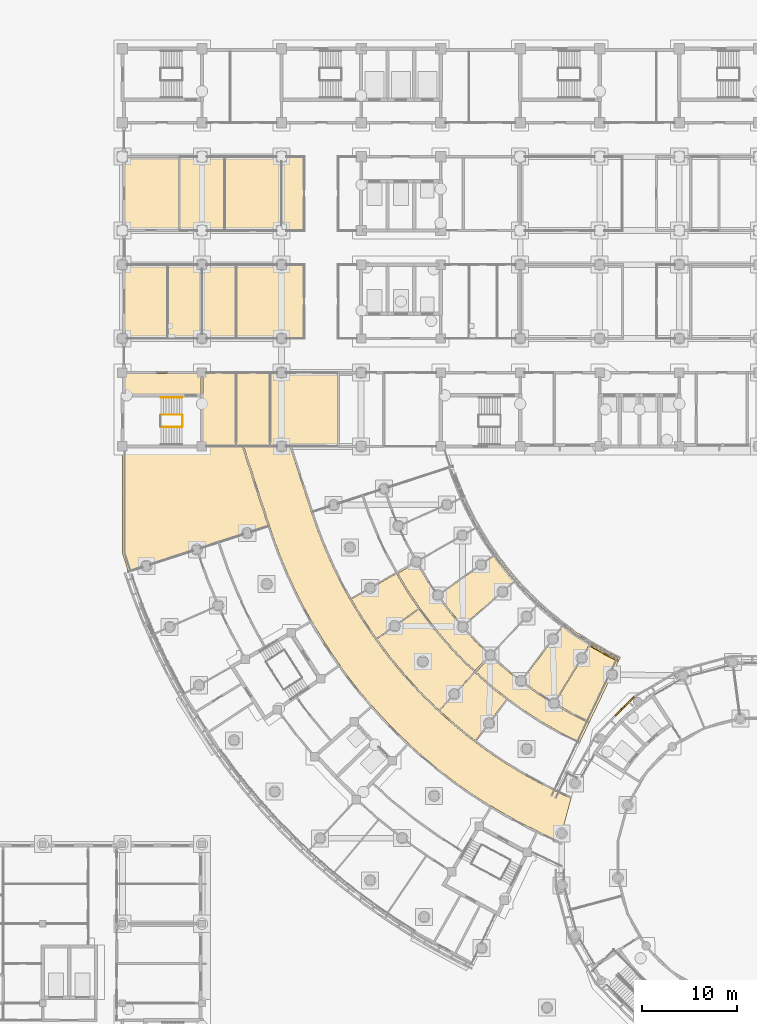
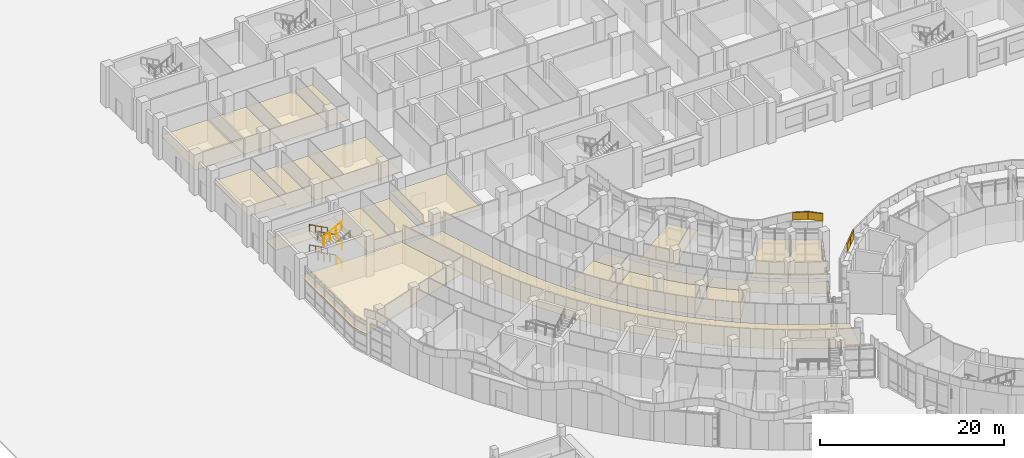
# One storey, part 126 of 146: 26 coverings, 7 railings.
"""IFC4 building model written with IfcOpenShell, lengths in metres."""

from ifc_helpers import new_model, si_unit, direction, frame, origin, origin_2d, place, context, subcontext, project, spatial, polyline, circle, outline, extrude, material, layer, layer_set, type_object, element, save


model = new_model("IFC4")

# Units and contexts
model_context = context("Model", 3, precision=1e-05, world=origin(), true_north=direction((0.0, 1.0)))
body_context = subcontext(model_context, "Body", "Model", "MODEL_VIEW")
ifc_project = project(units=[si_unit("LENGTHUNIT", "METRE"), si_unit("AREAUNIT", "SQUARE_METRE"), si_unit("VOLUMEUNIT", "CUBIC_METRE"), si_unit("PLANEANGLEUNIT", "RADIAN"), si_unit("MASSUNIT", "GRAM", prefix="KILO")], contexts=[model_context])

# Site, building, storey
site_placement = place(None, origin())
site = spatial("IfcSite", under=ifc_project, at=site_placement, CompositionType="ELEMENT")
building_placement = place(site_placement, origin())
building = spatial("IfcBuilding", under=site, at=building_placement, Name="Bougainvillea Quay General Hospital", CompositionType="ELEMENT")
storey_placement = place(building_placement, origin())
storey = spatial("IfcBuildingStorey", under=building, at=storey_placement, Name="L00", CompositionType="ELEMENT", Elevation=0.0)

# Coverings
ifc_material_1 = material(Name="Powder-coated aluminium fascia, white", Category="aluminium")
ifc_layer_1 = layer(ifc_material_1, 0.14990234375)
ifc_layer_set_1 = layer_set([ifc_layer_1], Name="Powder-coated aluminium fascia, white")
covering_type_1 = type_object("IfcCoveringType", Name="Aluminium fascia band white 150x1100", PredefinedType="CLADDING", material=ifc_layer_set_1)
covering_1_placement = place(storey_placement, frame((96.078369140625, 91.10009765625, 4.85009765625), z_axis=(0.0, 0.0, 1.0), x_axis=(-0.707106781187, -0.707106781187, 0.0)))
element("IfcCovering", 1, at=covering_1_placement, inside=storey, type_object=covering_type_1, Name="Fascia band white e0 35", PredefinedType="CLADDING", context=body_context, shape_type="SweptSolid", body=[
    extrude(outline(polyline([(0.0, 0.0), (1.4428707219621983, 0.0), (1.4428707219621983, -0.15019113760554115), (-0.01968021803107091, -0.1501911376055411), (0.0, 0.0)])), origin(), (0.0, 0.0, 1.0), 1.10009765625),
])
covering_2_placement = place(storey_placement, frame((95.05810546875, 90.079833984375, 4.85009765625), z_axis=(0.0, 0.0, 1.0), x_axis=(-0.707106781187, -0.707106781187, 0.0)))
element("IfcCovering", 2, at=covering_2_placement, inside=storey, type_object=covering_type_1, Name="Fascia band white e0 36", PredefinedType="CLADDING", context=body_context, shape_type="SweptSolid", body=[
    extrude(outline(polyline([(0.0, 0.0), (1.370364655531937, 0.0), (1.370364655531937, -0.15019113760554115), (0.0, -0.15019113760554112), (0.0, 0.0)])), origin(), (0.0, 0.0, 1.0), 1.10009765625),
])
ifc_material_2 = material(Name="Powder-coated aluminium fascia, red", Category="aluminium")
ifc_layer_2 = layer(ifc_material_2, 0.14990234375)
ifc_layer_set_2 = layer_set([ifc_layer_2], Name="Powder-coated aluminium fascia, red")
covering_type_2 = type_object("IfcCoveringType", Name="Aluminium wave fascia ribbon red 150x1000", PredefinedType="CLADDING", material=ifc_layer_set_2)
covering_3_placement = place(storey_placement, frame((94.427490234375, 95.04443359375, 5.351806640625), z_axis=(0.178429975387, -0.090366247386, 0.979794205544), x_axis=(-0.874083251143, 0.442690812295, 0.20000828678)))
element("IfcCovering", 3, at=covering_3_placement, inside=storey, type_object=covering_type_2, Name="Fascia ribbon red a11 1", PredefinedType="CLADDING", context=body_context, shape_type="SweptSolid", body=[
    extrude(outline(polyline([(0.0, 0.0), (1.6638484869713641, -7.820824608588406e-17), (1.6674101174011742, 0.14981905247554078), (9.779752938982034e-05, 0.15001996079909308), (0.0, 0.0)])), origin(), (0.20000828678, 1.687433e-06, 0.979794205544), 1.0),
])
covering_4_placement = place(storey_placement, frame((92.97314453125, 95.781005859375, 5.684814453125), z_axis=(-0.06285428665, 0.035664510965, 0.997385272253), x_axis=(-0.867187521457, 0.492710042143, -0.072267676051)))
element("IfcCovering", 4, at=covering_4_placement, inside=storey, type_object=covering_type_2, Name="Fascia ribbon red a11 2", PredefinedType="CLADDING", context=body_context, shape_type="SweptSolid", body=[
    extrude(outline(polyline([(0.0, 0.0), (1.641611547312647, 1.2369052722165097e-16), (1.6451382397558147, 0.14997813692577294), (-0.0036972703253794793, 0.1498141754743396), (0.0, 0.0)])), origin(), (-0.072267676051, -4.1119357e-05, 0.997385272253), 1.0),
])

# Railings
ifc_material_3 = material(Name="Stainless steel 304 balustrade", Category="steel")
railing_type_1 = type_object("IfcRailingType", Name="Stair guard 1100", PredefinedType="GUARDRAIL", material=ifc_material_3)
railing_1_placement = place(storey_placement, frame((48.300048828125, 120.949951171875, 0.14990234375)))
element("IfcRailing", 5, at=railing_1_placement, inside=storey, type_object=railing_type_1, Name="L00 ST-B1 stair guard 1", PredefinedType="GUARDRAIL", context=body_context, shape_type="SweptSolid", body=[
    extrude(circle(Radius=0.02392578125, at=origin_2d()), frame((0.0, 0.0, 1.076171875), z_axis=(-0.881447119201, 0.0, 0.472282728937), x_axis=(0.0, -1.0, 0.0)), (0.0, 0.0, 1.0), 2.541259765625),
    extrude(circle(Radius=0.02099609375, at=origin_2d()), origin(), (0.0, 0.0, 1.0), 1.052001953125),
    extrude(circle(Radius=0.02099609375, at=origin_2d()), frame((-0.74658203125, 0.0, 0.400146484375)), (0.0, 0.0, 1.0), 1.052001953125),
    extrude(circle(Radius=0.02099609375, at=origin_2d()), frame((-1.493408203125, 0.0, 0.800048828125)), (0.0, 0.0, 1.0), 1.052001953125),
    extrude(circle(Radius=0.02099609375, at=origin_2d()), frame((-2.239990234375, 0.0, 1.2001953125)), (0.0, 0.0, 1.0), 1.052001953125),
])
railing_2_placement = place(storey_placement, frame((48.35009765625, 120.89990234375, 2.699951171875)))
element("IfcRailing", 6, at=railing_2_placement, inside=storey, type_object=railing_type_1, Name="L00 ST-B1 stair guard 4", PredefinedType="GUARDRAIL", context=body_context, shape_type="SweptSolid", body=[
    extrude(circle(Radius=0.02392578125, at=origin_2d()), frame((0.0, 0.0, 1.076171875), z_axis=(0.0, -1.0, 0.0), x_axis=(1.0, 0.0, 0.0)), (0.0, 0.0, 1.0), 1.199951171875),
    extrude(circle(Radius=0.02099609375, at=origin_2d()), origin(), (0.0, 0.0, 1.0), 1.052001953125),
    extrude(circle(Radius=0.02099609375, at=origin_2d()), frame((0.0, -1.199951171875, 0.0)), (0.0, 0.0, 1.0), 1.052001953125),
])
railing_3_placement = place(storey_placement, frame((48.300048828125, 120.949951171875, 2.85009765625)))
element("IfcRailing", 7, at=railing_3_placement, inside=storey, type_object=railing_type_1, Name="L00 ST-B1 stair guard 5", PredefinedType="GUARDRAIL", context=body_context, shape_type="SweptSolid", body=[
    extrude(circle(Radius=0.02392578125, at=origin_2d()), frame((0.0, 0.0, 1.076171875), z_axis=(-0.881487111273, 0.0, 0.472208081951), x_axis=(0.0, -1.0, 0.0)), (0.0, 0.0, 1.0), 2.541259765625),
    extrude(circle(Radius=0.02099609375, at=origin_2d()), origin(), (0.0, 0.0, 1.0), 1.052001953125),
    extrude(circle(Radius=0.02099609375, at=origin_2d()), frame((-0.74658203125, 0.0, 0.39990234375)), (0.0, 0.0, 1.0), 1.052001953125),
    extrude(circle(Radius=0.02099609375, at=origin_2d()), frame((-1.493408203125, 0.0, 0.800048828125)), (0.0, 0.0, 1.0), 1.052001953125),
    extrude(circle(Radius=0.02099609375, at=origin_2d()), frame((-2.239990234375, 0.0, 1.199951171875)), (0.0, 0.0, 1.0), 1.052001953125),
])
railing_4_placement = place(storey_placement, frame((46.06005859375, 119.64990234375, 4.199951171875)))
element("IfcRailing", 8, at=railing_4_placement, inside=storey, type_object=railing_type_1, Name="L00 ST-B1 stair guard 7", PredefinedType="GUARDRAIL", context=body_context, shape_type="SweptSolid", body=[
    extrude(circle(Radius=0.02392578125, at=origin_2d()), frame((0.0, 0.0, 1.076171875), z_axis=(0.881487111273, 0.0, 0.472208081951), x_axis=(0.0, 1.0, 0.0)), (0.0, 0.0, 1.0), 2.541259765625),
    extrude(circle(Radius=0.02099609375, at=origin_2d()), origin(), (0.0, 0.0, 1.0), 1.052001953125),
    extrude(circle(Radius=0.02099609375, at=origin_2d()), frame((0.74658203125, 0.0, 0.39990234375)), (0.0, 0.0, 1.0), 1.052001953125),
    extrude(circle(Radius=0.02099609375, at=origin_2d()), frame((1.493408203125, 0.0, 0.800048828125)), (0.0, 0.0, 1.0), 1.052001953125),
    extrude(circle(Radius=0.02099609375, at=origin_2d()), frame((2.239990234375, 0.0, 1.199951171875)), (0.0, 0.0, 1.0), 1.052001953125),
])
railing_5_placement = place(storey_placement, frame((48.35009765625, 120.89990234375, 0.0)))
element("IfcRailing", 9, at=railing_5_placement, inside=storey, type_object=railing_type_1, Name="L00 ST-B1 stair guard 8", PredefinedType="GUARDRAIL", context=body_context, shape_type="SweptSolid", body=[
    extrude(circle(Radius=0.02392578125, at=origin_2d()), frame((0.0, 0.0, 1.076171875), z_axis=(0.0, -1.0, 0.0), x_axis=(1.0, 0.0, 0.0)), (0.0, 0.0, 1.0), 1.199951171875),
    extrude(circle(Radius=0.02099609375, at=origin_2d()), origin(), (0.0, 0.0, 1.0), 1.052001953125),
    extrude(circle(Radius=0.02099609375, at=origin_2d()), frame((0.0, -1.199951171875, 0.0)), (0.0, 0.0, 1.0), 1.052001953125),
])
ifc_material_4 = material(Name="Stainless steel 304 handrail", Category="steel")
railing_type_2 = type_object("IfcRailingType", Name="Stair handrail 900", PredefinedType="HANDRAIL", material=ifc_material_4)
railing_6_placement = place(storey_placement, frame((48.300048828125, 122.77490234375, 0.14990234375)))
element("IfcRailing", 10, at=railing_6_placement, inside=storey, type_object=railing_type_2, Name="L00 ST-B1 stair handrail 1", PredefinedType="HANDRAIL", context=body_context, shape_type="SweptSolid", body=[
    extrude(circle(Radius=0.02392578125, at=origin_2d()), frame((0.0, 0.0, 0.8759765625), z_axis=(-0.881447119201, 0.0, 0.472282728937), x_axis=(0.0, -1.0, 0.0)), (0.0, 0.0, 1.0), 2.541259765625),
    extrude(circle(Radius=0.02099609375, at=origin_2d()), origin(), (0.0, 0.0, 1.0), 0.851806640625),
    extrude(circle(Radius=0.02099609375, at=origin_2d()), frame((-0.74658203125, 0.0, 0.400146484375)), (0.0, 0.0, 1.0), 0.851806640625),
    extrude(circle(Radius=0.02099609375, at=origin_2d()), frame((-1.493408203125, 0.0, 0.800048828125)), (0.0, 0.0, 1.0), 0.851806640625),
    extrude(circle(Radius=0.02099609375, at=origin_2d()), frame((-2.239990234375, 0.0, 1.2001953125)), (0.0, 0.0, 1.0), 0.851806640625),
])
railing_7_placement = place(storey_placement, frame((48.300048828125, 122.77490234375, 2.85009765625)))
element("IfcRailing", 11, at=railing_7_placement, inside=storey, type_object=railing_type_2, Name="L00 ST-B1 stair handrail 3", PredefinedType="HANDRAIL", context=body_context, shape_type="SweptSolid", body=[
    extrude(circle(Radius=0.02392578125, at=origin_2d()), frame((0.0, 0.0, 0.8759765625), z_axis=(-0.881487111273, 0.0, 0.472208081951), x_axis=(0.0, -1.0, 0.0)), (0.0, 0.0, 1.0), 2.541259765625),
    extrude(circle(Radius=0.02099609375, at=origin_2d()), origin(), (0.0, 0.0, 1.0), 0.851806640625),
    extrude(circle(Radius=0.02099609375, at=origin_2d()), frame((-0.74658203125, 0.0, 0.39990234375)), (0.0, 0.0, 1.0), 0.851806640625),
    extrude(circle(Radius=0.02099609375, at=origin_2d()), frame((-1.493408203125, 0.0, 0.800048828125)), (0.0, 0.0, 1.0), 0.851806640625),
    extrude(circle(Radius=0.02099609375, at=origin_2d()), frame((-2.239990234375, 0.0, 1.199951171875)), (0.0, 0.0, 1.0), 0.851806640625),
])

# Coverings
ifc_material_5 = material(Name="Mineral fibre ceiling tile")
ifc_layer_3 = layer(ifc_material_5, 0.030029296875)
ifc_layer_set_3 = layer_set([ifc_layer_3], Name="Mineral fibre ceiling tile")
covering_type_3 = type_object("IfcCoveringType", Name="Suspended ceiling mineral fibre tile", PredefinedType="CEILING", material=ifc_layer_set_3)
covering_5_placement = place(storey_placement, frame((0.0, 0.0, 2.699951171875)))
element("IfcCovering", 12, at=covering_5_placement, inside=storey, type_object=covering_type_3, Name="Ceiling Smoke-proof Stair Vestibule ST-B1", PredefinedType="CEILING", context=body_context, shape_type="SweptSolid", body=[
    extrude(outline(polyline([(42.0, 123.10009765625), (50.300048828125, 123.10009765625), (50.300048828125, 125.300048828125), (42.0, 125.300048828125), (42.0, 123.10009765625)])), origin(), (0.0, 0.0, 1.0), 0.030029296875),
])
covering_6_placement = place(storey_placement, frame((0.0, 0.0, 2.800048828125)))
element("IfcCovering", 13, at=covering_6_placement, inside=storey, type_object=covering_type_3, Name="Ceiling Phlebotomy Room 01", PredefinedType="CEILING", context=body_context, shape_type="SweptSolid", body=[
    extrude(outline(polyline([(50.5, 125.35009765625), (50.5, 122.89990234375), (50.449951171875, 122.89990234375), (50.449951171875, 117.64990234375), (53.947998046875, 117.6494140625), (53.947998046875, 125.35009765625), (50.5, 125.35009765625)])), origin(), (0.0, 0.0, 1.0), 0.030029296875),
])
covering_7_placement = place(storey_placement, frame((0.0, 0.0, 2.800048828125)))
element("IfcCovering", 14, at=covering_7_placement, inside=storey, type_object=covering_type_3, Name="Ceiling Phlebotomy Room 02", PredefinedType="CEILING", context=body_context, shape_type="SweptSolid", body=[
    extrude(outline(polyline([(54.048095703125, 125.35009765625), (54.048095703125, 117.6494140625), (57.548095703125, 117.64892578125), (57.548095703125, 125.35009765625), (54.048095703125, 125.35009765625)])), origin(), (0.0, 0.0, 1.0), 0.030029296875),
])
covering_8_placement = place(storey_placement, frame((0.0, 0.0, 3.60009765625)))
element("IfcCovering", 15, at=covering_8_placement, inside=storey, type_object=covering_type_3, Name="Ceiling Dispensing Pharmacy Counter Hall", PredefinedType="CEILING", context=body_context, shape_type="SweptSolid", body=[
    extrude(outline(polyline([(57.64794921875, 125.35009765625), (57.64794921875, 117.64892578125), (64.697998046875, 117.64794921875), (64.697998046875, 125.35009765625), (57.64794921875, 125.35009765625)])), origin(), (0.0, 0.0, 1.0), 0.02978515625),
])
covering_9_placement = place(storey_placement, frame((0.0, 0.0, 3.60009765625)))
element("IfcCovering", 16, at=covering_9_placement, inside=storey, type_object=covering_type_3, Name="Ceiling Phlebotomy Waiting Hall", PredefinedType="CEILING", context=body_context, shape_type="SweptSolid", body=[
    extrude(outline(polyline([(42.0, 129.050048828125), (46.75, 129.050048828125), (46.75, 136.75), (42.0, 136.75), (42.0, 129.050048828125)])), origin(), (0.0, 0.0, 1.0), 0.02978515625),
])
covering_10_placement = place(storey_placement, frame((0.0, 0.0, 2.800048828125)))
element("IfcCovering", 17, at=covering_10_placement, inside=storey, type_object=covering_type_3, Name="Ceiling Specimen Collection WC", PredefinedType="CEILING", context=body_context, shape_type="SweptSolid", body=[
    extrude(outline(polyline([(46.85009765625, 129.050048828125), (50.35009765625, 129.050048828125), (50.35009765625, 136.75), (46.85009765625, 136.75), (46.85009765625, 129.050048828125)])), origin(), (0.0, 0.0, 1.0), 0.030029296875),
])
covering_11_placement = place(storey_placement, frame((0.0, 0.0, 2.800048828125)))
element("IfcCovering", 18, at=covering_11_placement, inside=storey, type_object=covering_type_3, Name="Ceiling Phlebotomy Room 03", PredefinedType="CEILING", context=body_context, shape_type="SweptSolid", body=[
    extrude(outline(polyline([(53.949951171875, 129.050048828125), (53.949951171875, 136.75), (50.449951171875, 136.75), (50.449951171875, 129.050048828125), (53.949951171875, 129.050048828125)])), origin(), (0.0, 0.0, 1.0), 0.030029296875),
])
covering_12_placement = place(storey_placement, frame((0.0, 0.0, 2.800048828125)))
element("IfcCovering", 19, at=covering_12_placement, inside=storey, type_object=covering_type_3, Name="Ceiling Pharmacy Dispensing Workroom", PredefinedType="CEILING", context=body_context, shape_type="SweptSolid", body=[
    extrude(outline(polyline([(61.14990234375, 129.050048828125), (61.14990234375, 136.75), (54.050048828125, 136.75), (54.050048828125, 129.050048828125), (61.14990234375, 129.050048828125)])), origin(), (0.0, 0.0, 1.0), 0.030029296875),
])
covering_13_placement = place(storey_placement, frame((0.0, 0.0, 2.800048828125)))
element("IfcCovering", 20, at=covering_13_placement, inside=storey, type_object=covering_type_3, Name="Ceiling Fire Control Room", PredefinedType="CEILING", context=body_context, shape_type="SweptSolid", body=[
    extrude(outline(polyline([(42.0, 140.5), (47.89990234375, 140.5), (47.89990234375, 148.10009765625), (42.0, 148.10009765625), (42.0, 140.5)])), origin(), (0.0, 0.0, 1.0), 0.030029296875),
])
covering_14_placement = place(storey_placement, frame((0.0, 0.0, 2.800048828125)))
element("IfcCovering", 21, at=covering_14_placement, inside=storey, type_object=covering_type_3, Name="Ceiling Security Control Room", PredefinedType="CEILING", context=body_context, shape_type="SweptSolid", body=[
    extrude(outline(polyline([(52.75, 140.449951171875), (52.75, 148.14990234375), (48.10009765625, 148.14990234375), (48.10009765625, 140.449951171875), (52.75, 140.449951171875)])), origin(), (0.0, 0.0, 1.0), 0.030029296875),
])
covering_15_placement = place(storey_placement, frame((0.0, 0.0, 2.800048828125)))
element("IfcCovering", 22, at=covering_15_placement, inside=storey, type_object=covering_type_3, Name="Ceiling Staff Changing Room (Women)", PredefinedType="CEILING", context=body_context, shape_type="SweptSolid", body=[
    extrude(outline(polyline([(58.75, 140.449951171875), (58.75, 148.14990234375), (52.85009765625, 148.14990234375), (52.85009765625, 140.449951171875), (58.75, 140.449951171875)])), origin(), (0.0, 0.0, 1.0), 0.030029296875),
])
covering_16_placement = place(storey_placement, frame((0.0, 0.0, 2.800048828125)))
element("IfcCovering", 23, at=covering_16_placement, inside=storey, type_object=covering_type_3, Name="Ceiling Cleaners' Room", PredefinedType="CEILING", context=body_context, shape_type="SweptSolid", body=[
    extrude(outline(polyline([(61.14990234375, 140.449951171875), (61.14990234375, 148.14990234375), (58.85009765625, 148.14990234375), (58.85009765625, 140.449951171875), (61.14990234375, 140.449951171875)])), origin(), (0.0, 0.0, 1.0), 0.030029296875),
])
covering_17_placement = place(storey_placement, frame((0.0, 0.0, 2.39990234375)))
element("IfcCovering", 24, at=covering_17_placement, inside=storey, type_object=covering_type_3, Name="Ceiling Outpatient Spine Corridor", PredefinedType="CEILING", context=body_context, shape_type="SweptSolid", body=[
    extrude(outline(polyline([(54.808837890625, 117.60009765625), (57.5341796875, 109.212646484375), (57.977783203125, 107.904052734375), (58.422119140625, 106.692626953125), (58.96044921875, 105.33056640625), (59.500732421875, 104.063232421875), (60.07275390625, 102.809814453125), (60.563232421875, 101.798583984375), (61.17333984375, 100.610107421875), (61.9296875, 99.231689453125), (61.94873046875, 99.242919921875), (61.950439453125, 99.242431640625), (61.99951171875, 99.156005859375), (62.695556640625, 97.967529296875), (63.42138671875, 96.7978515625), (64.176025390625, 95.64599609375), (64.9609375, 94.513427734375), (65.0185546875, 94.432373046875), (65.01806640625, 94.4306640625), (64.999755859375, 94.41796875), (65.7529296875, 93.38720703125), (67.063232421875, 91.71142578125), (68.292236328125, 90.256591796875), (68.308349609375, 90.271240234375), (68.310302734375, 90.271240234375), (68.375732421875, 90.196533203125), (69.297607421875, 89.1728515625), (70.24365234375, 88.172607421875), (71.216064453125, 87.196533203125), (72.212646484375, 86.245849609375), (72.285400390625, 86.177978515625), (72.285400390625, 86.17626953125), (72.270263671875, 86.160400390625), (73.55908203125, 85.000732421875), (75.324951171875, 83.530517578125), (76.678955078125, 82.485107421875), (77.75830078125, 81.6982421875), (78.85791015625, 80.938232421875), (79.799560546875, 80.318115234375), (80.88134765625, 79.640625), (80.892822265625, 79.659912109375), (80.89453125, 79.660400390625), (80.9794921875, 79.60888671875), (82.165771484375, 78.90771484375), (83.36865234375, 78.238037109375), (84.58837890625, 77.59814453125), (85.82373046875, 76.989013671875), (85.913330078125, 76.9462890625), (85.913818359375, 76.944580078125), (85.9033203125, 76.92333984375), (88.3798828125, 75.7421875), (88.3798828125, 76.740966796875), (89.386962890625, 80.4970703125), (89.354736328125, 80.42919921875), (87.880126953125, 81.132568359375), (87.87939453125, 81.13134765625), (87.74609375, 81.196533203125), (87.74658203125, 81.19775390625), (86.400390625, 81.87158203125), (86.399169921875, 81.869384765625), (86.334228515625, 81.904541015625), (86.268310546875, 81.9375), (86.26953125, 81.939697265625), (84.582763671875, 82.8564453125), (84.58154296875, 82.854248046875), (84.51806640625, 82.8916015625), (84.453369140625, 82.927001953125), (84.45458984375, 82.92919921875), (83.511962890625, 83.484375), (83.510986328125, 83.482666015625), (83.38427734375, 83.559326171875), (83.38525390625, 83.56103515625), (82.458251953125, 84.1396484375), (82.457275390625, 84.13818359375), (82.332763671875, 84.218017578125), (82.333740234375, 84.2197265625), (81.4208984375, 84.821044921875), (81.419677734375, 84.819580078125), (81.297119140625, 84.902587890625), (81.298095703125, 84.904296875), (80.401123046875, 85.52783203125), (80.39990234375, 85.526123046875), (80.34033203125, 85.570068359375), (80.279541015625, 85.6123046875), (80.28076171875, 85.614013671875), (79.280517578125, 86.35107421875), (79.279541015625, 86.349853515625), (79.1611328125, 86.439208984375), (79.162109375, 86.4404296875), (78.41455078125, 87.017333984375), (78.4130859375, 87.015380859375), (78.356201171875, 87.062255859375), (78.2978515625, 87.107421875), (78.29931640625, 87.109375), (77.0029296875, 88.17822265625), (77.0009765625, 88.176025390625), (76.9462890625, 88.22509765625), (76.889404296875, 88.271728515625), (76.89111328125, 88.27392578125), (75.42041015625, 89.585693359375), (75.4189453125, 89.583984375), (75.365234375, 89.634765625), (75.31005859375, 89.683837890625), (75.3115234375, 89.685546875), (74.6796875, 90.2841796875), (74.67822265625, 90.282958984375), (74.572021484375, 90.38623046875), (74.5732421875, 90.387451171875), (73.798095703125, 91.158203125), (73.796630859375, 91.156982421875), (73.69287109375, 91.2626953125), (73.6943359375, 91.263916015625), (72.93798828125, 92.0546875), (72.936279296875, 92.052978515625), (72.886962890625, 92.10791015625), (72.8359375, 92.161376953125), (72.837646484375, 92.162841796875), (71.7099609375, 93.416748046875), (71.7080078125, 93.415283203125), (71.660400390625, 93.4716796875), (71.611083984375, 93.526611328125), (71.61279296875, 93.528076171875), (70.906982421875, 94.36376953125), (70.905517578125, 94.362548828125), (70.811279296875, 94.476806640625), (70.812744140625, 94.47802734375), (70.12841796875, 95.330078125), (70.126953125, 95.328857421875), (70.03564453125, 95.445556640625), (70.037109375, 95.44677734375), (69.37353515625, 96.316650390625), (69.37158203125, 96.3154296875), (69.32861328125, 96.37548828125), (69.283935546875, 96.43408203125), (69.28564453125, 96.435546875), (68.27197265625, 97.856689453125), (68.269775390625, 97.85498046875), (68.229248046875, 97.91650390625), (68.186279296875, 97.9765625), (68.1884765625, 97.97802734375), (67.262451171875, 99.382080078125), (67.260498046875, 99.380859375), (67.2216796875, 99.443603515625), (67.18115234375, 99.50537109375), (67.18310546875, 99.506591796875), (66.609375, 100.4384765625), (66.60791015625, 100.4375), (66.53173828125, 100.564453125), (66.533447265625, 100.5654296875), (66.05908203125, 101.379638671875), (66.057861328125, 101.37890625), (65.984375, 101.508056640625), (65.98583984375, 101.5087890625), (65.662109375, 102.091552734375), (65.660400390625, 102.0908203125), (65.590087890625, 102.22119140625), (65.591552734375, 102.221923828125), (64.8154296875, 103.69970703125), (64.813232421875, 103.69873046875), (64.781005859375, 103.76513671875), (64.746826171875, 103.83056640625), (64.748779296875, 103.83154296875), (64.271484375, 104.8154296875), (64.269775390625, 104.814697265625), (64.206787109375, 104.94873046875), (64.20849609375, 104.949462890625), (63.756103515625, 105.9443359375), (63.75439453125, 105.943603515625), (63.694580078125, 106.0791015625), (63.6962890625, 106.080078125), (63.2685546875, 107.08544921875), (63.266845703125, 107.084716796875), (63.210693359375, 107.2216796875), (63.21240234375, 107.222412109375), (62.81005859375, 108.238525390625), (62.808349609375, 108.23779296875), (62.755615234375, 108.376220703125), (62.75732421875, 108.376708984375), (62.380859375, 109.403564453125), (62.379150390625, 109.40283203125), (62.329833984375, 109.54248046875), (62.33154296875, 109.543212890625), (61.98193359375, 110.57421875), (61.978515625, 110.582763671875), (61.97412109375, 110.58154296875), (61.957275390625, 110.647216796875), (61.933837890625, 110.716064453125), (61.93505859375, 110.716796875), (59.70556640625, 117.576904296875), (59.777099609375, 117.60009765625), (54.808837890625, 117.60009765625)])), origin(), (0.0, 0.0, 1.0), 0.030029296875),
])
covering_18_placement = place(storey_placement, frame((0.0, 0.0, 2.699951171875)))
element("IfcCovering", 25, at=covering_18_placement, inside=storey, type_object=covering_type_3, Name="Ceiling Ophthalmology and ENT Clinics", PredefinedType="CEILING", context=body_context, shape_type="SweptSolid", body=[
    extrude(outline(polyline([(42.610595703125, 104.41650390625), (57.375732421875, 109.213134765625), (54.65869140625, 117.576904296875), (54.72998046875, 117.60009765625), (42.0, 117.60009765625), (42.0, 106.2958984375), (42.610595703125, 104.41650390625)])), origin(), (0.0, 0.0, 1.0), 0.030029296875),
])
covering_19_placement = place(storey_placement, frame((0.0, 0.0, 2.39990234375)))
element("IfcCovering", 26, at=covering_19_placement, inside=storey, type_object=covering_type_3, Name="Ceiling Clinic Corridor 00W1", PredefinedType="CEILING", context=body_context, shape_type="SweptSolid", body=[
    extrude(outline(polyline([(91.299072265625, 88.468994140625), (91.265625, 88.40185546875), (89.43994140625, 89.310302734375), (89.437744140625, 89.306640625), (89.37451171875, 89.3427734375), (89.309326171875, 89.375244140625), (89.311279296875, 89.379150390625), (87.60546875, 90.3583984375), (87.603515625, 90.355224609375), (87.5419921875, 90.39501953125), (87.478515625, 90.431396484375), (87.48046875, 90.4345703125), (85.826416015625, 91.499267578125), (85.82421875, 91.496337890625), (85.764892578125, 91.5390625), (85.703369140625, 91.57861328125), (85.705322265625, 91.58154296875), (84.107177734375, 92.728515625), (84.10498046875, 92.7255859375), (84.047607421875, 92.771240234375), (83.98828125, 92.813720703125), (83.990478515625, 92.81689453125), (82.451416015625, 94.044189453125), (82.44873046875, 94.041015625), (82.39453125, 94.08984375), (82.337646484375, 94.135009765625), (82.34033203125, 94.138427734375), (80.898193359375, 95.435302734375), (79.366455078125, 93.7890625), (80.948486328125, 92.3662109375), (82.689208984375, 90.976806640625), (84.499267578125, 89.677978515625), (86.3720703125, 88.47314453125), (88.303466796875, 87.3642578125), (90.29833984375, 86.37158203125), (91.299072265625, 88.468994140625)])), origin(), (0.0, 0.0, 1.0), 0.030029296875),
])
covering_20_placement = place(storey_placement, frame((0.0, 0.0, 2.699951171875)))
element("IfcCovering", 27, at=covering_20_placement, inside=storey, type_object=covering_type_3, Name="Ceiling Patient Information Consulting Room 00W102", PredefinedType="CEILING", context=body_context, shape_type="SweptSolid", body=[
    extrude(outline(polyline([(80.908447265625, 92.206298828125), (80.905517578125, 92.203125), (80.8515625, 92.251708984375), (80.794677734375, 92.297119140625), (80.79736328125, 92.300537109375), (79.26416015625, 93.67919921875), (79.260986328125, 93.677734375), (79.225830078125, 93.71142578125), (75.50439453125, 89.711669921875), (77.0439453125, 88.3388671875), (78.44970703125, 87.1796875), (79.271728515625, 86.54541015625), (82.55810546875, 90.88623046875), (82.539306640625, 90.89990234375), (82.54150390625, 90.90283203125), (80.908447265625, 92.206298828125)])), origin(), (0.0, 0.0, 1.0), 0.030029296875),
])
covering_21_placement = place(storey_placement, frame((0.0, 0.0, 2.699951171875)))
element("IfcCovering", 28, at=covering_21_placement, inside=storey, type_object=covering_type_3, Name="Ceiling Seminar Room 00W111", PredefinedType="CEILING", context=body_context, shape_type="SweptSolid", body=[
    extrude(outline(polyline([(94.56298828125, 95.31201171875), (94.540283203125, 95.267333984375), (93.067626953125, 96.015869140625), (93.06640625, 96.013671875), (93.024169921875, 96.0380859375), (92.980712890625, 96.06005859375), (92.98193359375, 96.062255859375), (91.54736328125, 96.88427734375), (87.663330078125, 90.498291015625), (89.4453125, 89.47509765625), (91.331298828125, 88.53662109375), (94.56298828125, 95.31201171875)])), origin(), (0.0, 0.0, 1.0), 0.030029296875),
])
covering_22_placement = place(storey_placement, frame((0.0, 0.0, 2.699951171875)))
element("IfcCovering", 29, at=covering_22_placement, inside=storey, type_object=covering_type_3, Name="Ceiling Skills Laboratory 00W112", PredefinedType="CEILING", context=body_context, shape_type="SweptSolid", body=[
    extrude(outline(polyline([(89.52197265625, 98.27294921875), (89.492431640625, 98.232666015625), (88.690185546875, 98.821533203125), (84.178955078125, 92.861572265625), (85.84912109375, 91.6630859375), (87.577880859375, 90.55029296875), (91.4619140625, 96.936279296875), (90.18310546875, 97.755859375), (90.2099609375, 97.798095703125), (89.52197265625, 98.27294921875)])), origin(), (0.0, 0.0, 1.0), 0.030029296875),
])
covering_23_placement = place(storey_placement, frame((0.0, 0.0, 2.39990234375)))
element("IfcCovering", 30, at=covering_23_placement, inside=storey, type_object=covering_type_3, Name="Ceiling Clinic Corridor 00W1", PredefinedType="CEILING", context=body_context, shape_type="SweptSolid", body=[
    extrude(outline(polyline([(75.246826171875, 101.83447265625), (75.202880859375, 101.89306640625), (75.2060546875, 101.895263671875), (74.105224609375, 103.527587890625), (74.1015625, 103.525390625), (74.064453125, 103.587890625), (74.02392578125, 103.648193359375), (74.027587890625, 103.650634765625), (73.040771484375, 105.32080078125), (71.086181640625, 104.208984375), (72.16845703125, 102.376953125), (73.4130859375, 100.530517578125), (74.750732421875, 98.74853515625), (76.176513671875, 97.037353515625), (77.6865234375, 95.400390625), (79.219970703125, 93.92529296875), (80.751953125, 95.571533203125), (79.35400390625, 96.9169921875), (79.350830078125, 96.9140625), (79.301513671875, 96.967529296875), (79.2490234375, 97.01806640625), (79.251953125, 97.02099609375), (77.917236328125, 98.466796875), (77.914306640625, 98.46435546875), (77.86767578125, 98.5205078125), (77.818115234375, 98.57421875), (77.82080078125, 98.57666015625), (76.56201171875, 100.088134765625), (76.55908203125, 100.0859375), (76.51513671875, 100.14453125), (76.46826171875, 100.20068359375), (76.47119140625, 100.203125), (75.290771484375, 101.77587890625), (75.287841796875, 101.77392578125), (75.246826171875, 101.83447265625)])), origin(), (0.0, 0.0, 1.0), 0.030029296875),
])
covering_24_placement = place(storey_placement, frame((0.0, 0.0, 2.699951171875)))
element("IfcCovering", 31, at=covering_24_placement, inside=storey, type_object=covering_type_3, Name="Ceiling Phlebotomy Waiting Bays Waiting Hall 00W101", PredefinedType="CEILING", context=body_context, shape_type="SweptSolid", body=[
    extrude(outline(polyline([(74.633056640625, 98.655517578125), (74.58642578125, 98.711669921875), (74.589111328125, 98.7138671875), (73.334716796875, 100.385009765625), (73.331787109375, 100.3828125), (73.31884765625, 100.402099609375), (68.889404296875, 97.249267578125), (69.449462890625, 96.464599609375), (70.199951171875, 95.480224609375), (70.974853515625, 94.515625), (71.7734375, 93.5703125), (72.9970703125, 92.2099609375), (73.8525390625, 91.3154296875), (74.730224609375, 90.44287109375), (75.430908203125, 89.779296875), (79.15283203125, 93.779541015625), (79.116455078125, 93.81201171875), (79.117919921875, 93.8154296875), (77.6318359375, 95.244873046875), (77.628662109375, 95.241943359375), (77.579345703125, 95.29541015625), (77.52685546875, 95.345947265625), (77.530029296875, 95.34912109375), (76.11328125, 96.884765625), (76.1103515625, 96.88232421875), (76.0634765625, 96.9384765625), (76.013916015625, 96.9921875), (76.016845703125, 96.994873046875), (74.679931640625, 98.59912109375), (74.677001953125, 98.596923828125), (74.633056640625, 98.655517578125)])), origin(), (0.0, 0.0, 1.0), 0.030029296875),
])
covering_25_placement = place(storey_placement, frame((0.0, 0.0, 2.699951171875)))
element("IfcCovering", 32, at=covering_25_placement, inside=storey, type_object=covering_type_3, Name="Ceiling Phlebotomy Waiting Bays Consulting Room 00W102", PredefinedType="CEILING", context=body_context, shape_type="SweptSolid", body=[
    extrude(outline(polyline([(73.2470703125, 100.501953125), (73.25, 100.504150390625), (72.082275390625, 102.236572265625), (72.07861328125, 102.234375), (72.04150390625, 102.296875), (72.0009765625, 102.357177734375), (72.00439453125, 102.359619140625), (70.95556640625, 104.134765625), (70.9521484375, 104.13427734375), (70.9287109375, 104.177001953125), (66.17724609375, 101.474853515625), (66.699462890625, 100.57861328125), (67.34814453125, 99.5244140625), (68.352783203125, 98.00146484375), (68.831298828125, 97.330810546875), (73.2607421875, 100.4833984375), (73.2470703125, 100.501953125)])), origin(), (0.0, 0.0, 1.0), 0.030029296875),
])
covering_26_placement = place(storey_placement, frame((0.0, 0.0, 2.699951171875)))
element("IfcCovering", 33, at=covering_26_placement, inside=storey, type_object=covering_type_3, Name="Ceiling Phlebotomy Booth 00W112", PredefinedType="CEILING", context=body_context, shape_type="SweptSolid", body=[
    extrude(outline(polyline([(82.669677734375, 104.660888671875), (82.668212890625, 104.659912109375), (82.606689453125, 104.736328125), (82.60791015625, 104.7373046875), (81.998291015625, 105.52001953125), (81.9970703125, 105.51904296875), (81.937744140625, 105.59765625), (81.93896484375, 105.5986328125), (81.48779296875, 106.215576171875), (75.399169921875, 101.881591796875), (76.6328125, 100.237548828125), (77.948486328125, 98.657958984375), (83.568359375, 103.58642578125), (82.669677734375, 104.660888671875)])), origin(), (0.0, 0.0, 1.0), 0.030029296875),
])

save(model, "model.ifc")
